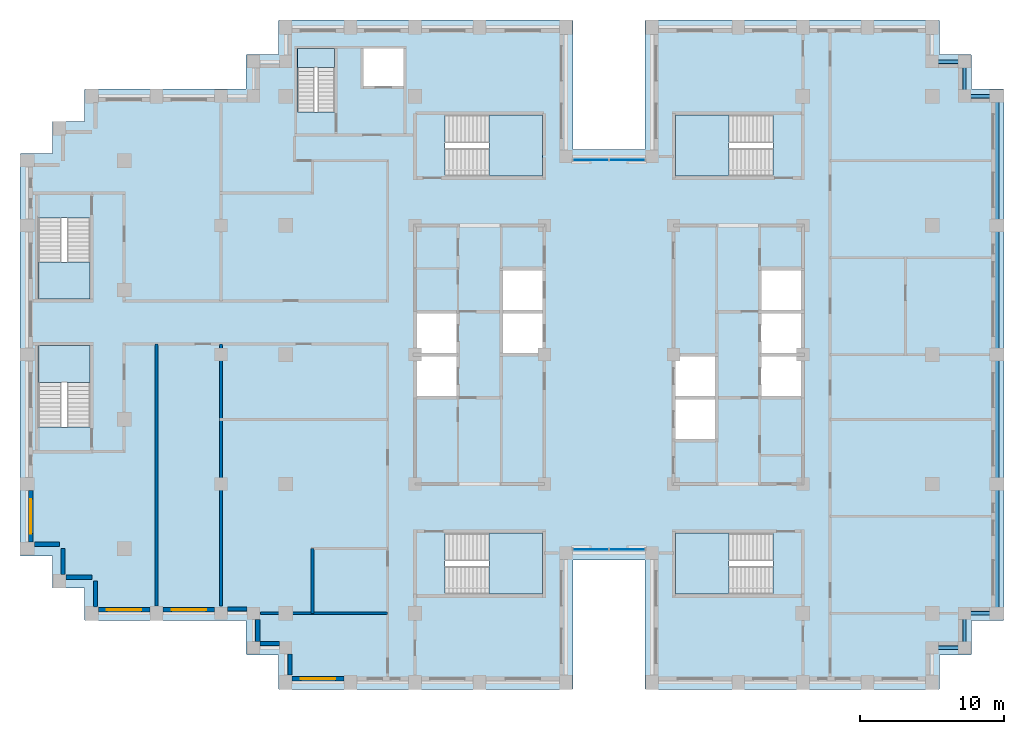
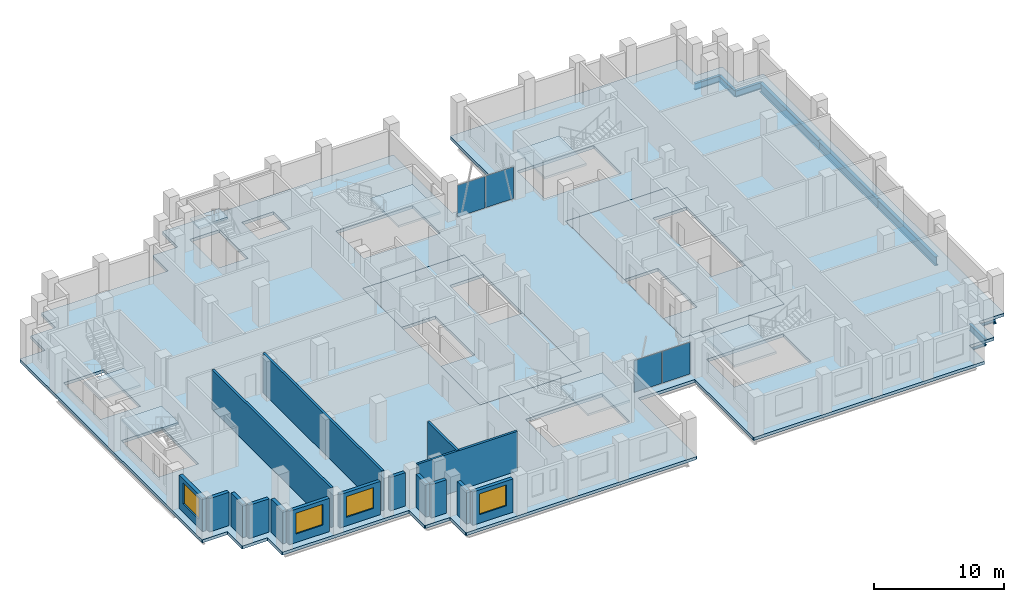
# One storey, part 5 of 15: 16 walls, 10 beams, 10 slabs, 4 plates, 4 windows, 4 openings, 9 elements without a shape of their own.
"""IFC4 building model written with IfcOpenShell, lengths in metres."""

from ifc_helpers import new_model, si_unit, direction, frame, frame_2d, origin, origin_2d, place, context, subcontext, project, spatial, polyline, rectangle, i_section, outline, extrude, material, layer, layer_set, material_profile, profile_set, type_object, element, fill, aggregate, save


model = new_model("IFC4")

# Units and contexts
model_context = context("Model", 3, precision=1e-05, world=origin(), true_north=direction((0.0, 1.0)))
body_context = subcontext(model_context, "Body", "Model", "MODEL_VIEW")
ifc_project = project(units=[si_unit("LENGTHUNIT", "METRE"), si_unit("AREAUNIT", "SQUARE_METRE"), si_unit("VOLUMEUNIT", "CUBIC_METRE"), si_unit("PLANEANGLEUNIT", "RADIAN"), si_unit("MASSUNIT", "GRAM", prefix="KILO")], contexts=[model_context])

# Site, building, storey
site_placement = place(None, origin())
site = spatial("IfcSite", under=ifc_project, at=site_placement, CompositionType="ELEMENT")
building_placement = place(site_placement, origin())
building = spatial("IfcBuilding", under=site, at=building_placement, Name="Corbelhall Arena Tower", CompositionType="ELEMENT")
storey_placement = place(building_placement, frame((0.0, 0.0, 228.0)))
storey = spatial("IfcBuildingStorey", under=building, at=storey_placement, Name="L48", CompositionType="ELEMENT", Elevation=228.0)

# Beams
ifc_material_1 = material(Name="Steel ASTM A992 Gr50", Category="steel")
ifc_material_profile_1 = material_profile(ifc_material_1, i_section(OverallWidth=0.228271484375, OverallDepth=0.607177734375, WebThickness=0.01123046875, FlangeThickness=0.017333984375, at=origin_2d()))
ifc_profile_set_1 = profile_set([ifc_material_profile_1], Name="Steel ASTM A992 Gr50")
beam_type_1 = type_object("IfcBeamType", Name="ST-SPANDREL-W24x76", PredefinedType="SPANDREL", material=ifc_profile_set_1)
for number, where, z_axis, x_axis, name in (
    (1, (27.0, -18.0, -0.58349609375), (-1.0, 0.0, 0.0), (0.0, -1.0, 0.0), "Beam SP 12"),
    (2, (22.5, 20.39990234375, -0.58349609375), (1.0, 0.0, 0.0), (0.0, 1.0, 0.0), "Beam SP 39"),
):
    element("IfcBeam", number, at=place(storey_placement, frame(where, z_axis=z_axis, x_axis=x_axis)), inside=storey, type_object=beam_type_1, Name=name, PredefinedType="SPANDREL", context=body_context, shape_type="SweptSolid", body=[
        extrude(i_section(OverallWidth=0.228271484375, OverallDepth=0.607177734375, WebThickness=0.01123046875, FlangeThickness=0.017333984375, at=origin_2d()), origin(), (0.0, 0.0, 1.0), 2.25),
    ])
beam_1_placement = place(storey_placement, frame((24.75, 20.39990234375, -0.58349609375), z_axis=(0.0, -1.0, 0.0), x_axis=(1.0, 0.0, 0.0)))
element("IfcBeam", 3, at=beam_1_placement, inside=storey, type_object=beam_type_1, Name="Beam SP 40", PredefinedType="SPANDREL", context=body_context, shape_type="SweptSolid", body=[
    extrude(i_section(OverallWidth=0.228271484375, OverallDepth=0.607177734375, WebThickness=0.01123046875, FlangeThickness=0.017333984375, at=origin_2d()), origin(), (0.0, 0.0, 1.0), 2.39990234375),
])
for number, where, z_axis, x_axis, name in (
    (4, (24.75, 18.0, -0.58349609375), (1.0, 0.0, 0.0), (0.0, 1.0, 0.0), "Beam SP 41"),
    (5, (24.75, -20.39990234375, -0.58349609375), (-1.0, 0.0, 0.0), (0.0, -1.0, 0.0), "Beam SP 46"),
):
    element("IfcBeam", number, at=place(storey_placement, frame(where, z_axis=z_axis, x_axis=x_axis)), inside=storey, type_object=beam_type_1, Name=name, PredefinedType="SPANDREL", context=body_context, shape_type="SweptSolid", body=[
        extrude(i_section(OverallWidth=0.228271484375, OverallDepth=0.607177734375, WebThickness=0.01123046875, FlangeThickness=0.017333984375, at=origin_2d()), origin(), (0.0, 0.0, 1.0), 2.25),
    ])
beam_2_placement = place(storey_placement, frame((24.75, -18.0, -0.58349609375), z_axis=(0.0, -1.0, 0.0), x_axis=(1.0, 0.0, 0.0)))
element("IfcBeam", 6, at=beam_2_placement, inside=storey, type_object=beam_type_1, Name="Beam SP 47", PredefinedType="SPANDREL", context=body_context, shape_type="SweptSolid", body=[
    extrude(i_section(OverallWidth=0.228271484375, OverallDepth=0.607177734375, WebThickness=0.01123046875, FlangeThickness=0.017333984375, at=origin_2d()), origin(), (0.0, 0.0, 1.0), 2.39990234375),
])
ifc_material_profile_2 = material_profile(ifc_material_1, i_section(OverallWidth=0.2919921875, OverallDepth=0.845703125, WebThickness=0.015380859375, FlangeThickness=0.0244140625, at=origin_2d()))
ifc_profile_set_2 = profile_set([ifc_material_profile_2], Name="Steel ASTM A992 Gr50")
beam_type_2 = type_object("IfcBeamType", Name="ST-SPANDREL-W33x141", PredefinedType="SPANDREL", material=ifc_profile_set_2)
for number, where, z_axis, x_axis, name in (
    (7, (27.0, 0.0, -0.702880859375), (0.0, -1.0, 0.0), (1.0, 0.0, 0.0), "Beam SP 8"),
    (8, (27.0, 9.0, -0.702880859375), (0.0, -1.0, 0.0), (1.0, 0.0, 0.0), "Beam SP 9"),
    (9, (27.0, 18.0, -0.702880859375), (0.0, -1.0, 0.0), (1.0, 0.0, 0.0), "Beam SP 10"),
    (10, (27.0, -9.0, -0.702880859375), (0.0, -1.0, 0.0), (1.0, 0.0, 0.0), "Beam SP 11"),
):
    element("IfcBeam", number, at=place(storey_placement, frame(where, z_axis=z_axis, x_axis=x_axis)), inside=storey, type_object=beam_type_2, Name=name, PredefinedType="SPANDREL", context=body_context, shape_type="SweptSolid", body=[
        extrude(i_section(OverallWidth=0.2919921875, OverallDepth=0.845703125, WebThickness=0.015380859375, FlangeThickness=0.0244140625, at=origin_2d()), origin(), (0.0, 0.0, 1.0), 9.0),
    ])

# Curtain wall, plates
ifc_material_2 = material(Name="Aluminium black anodised", Category="aluminium")
ifc_layer_1 = layer(ifc_material_2, 0.199951171875)
ifc_layer_set_1 = layer_set([ifc_layer_1], Name="EV-CW1 Slot back wall")
curtain_wall_type = type_object("IfcCurtainWallType", Name="EV-CW1 Slot back wall", PredefinedType="NOTDEFINED", material=ifc_layer_set_1)
curtain_wall_1_placement = place(storey_placement, origin())
curtain_wall_1 = element("IfcCurtainWall", 11, at=curtain_wall_1_placement, inside=storey, type_object=curtain_wall_type, Name="Curtain wall CW1", PredefinedType="NOTDEFINED")
ifc_material_3 = material(Name="Glass dark tinted laminated", Category="glass")
ifc_layer_2 = layer(ifc_material_3, 0.028076171875)
ifc_layer_set_2 = layer_set([ifc_layer_2], Name="EV-CW1-PANEL")
plate_type = type_object("IfcPlateType", Name="EV-CW1-PANEL", PredefinedType="CURTAIN_PANEL", material=ifc_layer_set_2)
plate_1_placement = place(storey_placement, frame((-1.25634765625, -13.550048828125, 0.0751953125), z_axis=(0.0, 0.0, 1.0), x_axis=(1.0, 0.0, 0.0)))
plate_1 = element("IfcPlate", 12, at=plate_1_placement, type_object=plate_type, Name="CW1 panel 1.1", PredefinedType="CURTAIN_PANEL", context=body_context, shape_type="SweptSolid", body=[
    extrude(rectangle(XDim=2.4375, YDim=0.028076171875, at=origin_2d()), origin(), (0.0, 0.0, 1.0), 2.969970703125),
])
plate_2_placement = place(storey_placement, frame((1.25634765625, -13.550048828125, 0.0751953125), z_axis=(0.0, 0.0, 1.0), x_axis=(1.0, 0.0, 0.0)))
plate_2 = element("IfcPlate", 13, at=plate_2_placement, type_object=plate_type, Name="CW1 panel 2.1", PredefinedType="CURTAIN_PANEL", context=body_context, shape_type="SweptSolid", body=[
    extrude(rectangle(XDim=2.4375, YDim=0.028076171875, at=origin_2d()), origin(), (0.0, 0.0, 1.0), 2.969970703125),
])
aggregate(curtain_wall_1, [plate_1, plate_2])

curtain_wall_2_placement = place(storey_placement, origin())
curtain_wall_2 = element("IfcCurtainWall", 14, at=curtain_wall_2_placement, inside=storey, type_object=curtain_wall_type, Name="Curtain wall CW1", PredefinedType="NOTDEFINED")
plate_3_placement = place(storey_placement, frame((1.25634765625, 13.550048828125, 0.0751953125), z_axis=(0.0, 0.0, 1.0), x_axis=(-1.0, 0.0, 0.0)))
plate_3 = element("IfcPlate", 15, at=plate_3_placement, type_object=plate_type, Name="CW1 panel 1.1", PredefinedType="CURTAIN_PANEL", context=body_context, shape_type="SweptSolid", body=[
    extrude(rectangle(XDim=2.4375, YDim=0.028076171875, at=origin_2d()), origin(), (0.0, 0.0, 1.0), 2.969970703125),
])
plate_4_placement = place(storey_placement, frame((-1.25634765625, 13.550048828125, 0.0751953125), z_axis=(0.0, 0.0, 1.0), x_axis=(-1.0, 0.0, 0.0)))
plate_4 = element("IfcPlate", 16, at=plate_4_placement, type_object=plate_type, Name="CW1 panel 2.1", PredefinedType="CURTAIN_PANEL", context=body_context, shape_type="SweptSolid", body=[
    extrude(rectangle(XDim=2.4375, YDim=0.028076171875, at=origin_2d()), origin(), (0.0, 0.0, 1.0), 2.969970703125),
])
aggregate(curtain_wall_2, [plate_3, plate_4])

# Slabs
ifc_material_4 = material(Name="Concrete C40/50", Category="concrete")
ifc_layer_3 = layer(ifc_material_4, 0.300048828125)
ifc_layer_set_3 = layer_set([ifc_layer_3], Name="IN-SL-CORE")
slab_type_1 = type_object("IfcSlabType", Name="IN-SL-CORE", PredefinedType="FLOOR", material=ifc_layer_set_3)
slab_1_placement = place(storey_placement, frame((0.0, 0.0, -0.280029296875)))
element("IfcSlab", 17, at=slab_1_placement, inside=storey, type_object=slab_type_1, Name="Core floor W", PredefinedType="FLOOR", context=body_context, shape_type="SweptSolid", body=[
    extrude(outline(polyline([(-10.5, -3.0), (-13.5, -3.0), (-13.5, -9.0), (-4.5, -9.0), (-4.5, 0.0), (-7.5, 0.0), (-7.5, 3.0), (-7.5, 6.0), (-4.5, 6.0), (-4.5, 9.0), (-13.5, 9.0), (-13.5, 3.0), (-10.5, 3.0), (-10.5, 0.0), (-10.5, -3.0)])), origin(), (0.0, 0.0, 1.0), 0.280029296875),
])
slab_2_placement = place(storey_placement, frame((0.0, 0.0, -0.280029296875)))
element("IfcSlab", 18, at=slab_2_placement, inside=storey, type_object=slab_type_1, Name="Core floor E", PredefinedType="FLOOR", context=body_context, shape_type="SweptSolid", body=[
    extrude(outline(polyline([(13.5, -3.0), (10.5, -3.0), (10.5, 0.0), (10.5, 3.0), (10.5, 6.0), (13.5, 6.0), (13.5, 9.0), (4.5, 9.0), (4.5, 0.0), (7.5, 0.0), (7.5, -3.0), (7.5, -6.0), (4.5, -6.0), (4.5, -9.0), (13.5, -9.0), (13.5, -3.0)])), origin(), (0.0, 0.0, 1.0), 0.280029296875),
])

# Stair, slab
stair_type = type_object("IfcStairType", Name="IN-ST-TOWER", PredefinedType="HALF_TURN_STAIR", material=ifc_material_4)
stair_1_placement = place(storey_placement, origin())
stair_1 = element("IfcStair", 19, at=stair_1_placement, inside=storey, type_object=stair_type, Name="L48 Exit stair ST1", PredefinedType="HALF_TURN_STAIR")
ifc_layer_4 = layer(ifc_material_4, 0.199951171875)
ifc_layer_set_4 = layer_set([ifc_layer_4], Name="IN-SL-LANDING")
slab_type_2 = type_object("IfcSlabType", Name="IN-SL-LANDING", PredefinedType="LANDING", material=ifc_layer_set_4)
slab_3_placement = place(storey_placement, frame((0.0, 0.0, 1.800048828125)))
slab_3 = element("IfcSlab", 20, at=slab_3_placement, type_object=slab_type_2, Name="ST1 landing 1", PredefinedType="LANDING", context=body_context, shape_type="SweptSolid", body=[
    extrude(outline(polyline([(-8.344970703125, 12.425048828125), (-4.625, 12.425048828125), (-4.625, 16.675048828125), (-8.344970703125, 16.675048828125), (-8.344970703125, 12.425048828125)])), origin(), (0.0, 0.0, 1.0), 0.199951171875),
])
aggregate(stair_1, [slab_3])

stair_2_placement = place(storey_placement, origin())
stair_2 = element("IfcStair", 21, at=stair_2_placement, inside=storey, type_object=stair_type, Name="L48 Exit stair ST2", PredefinedType="HALF_TURN_STAIR")
slab_4_placement = place(storey_placement, frame((0.0, 0.0, 1.800048828125)))
slab_4 = element("IfcSlab", 22, at=slab_4_placement, type_object=slab_type_2, Name="ST2 landing 1", PredefinedType="LANDING", context=body_context, shape_type="SweptSolid", body=[
    extrude(outline(polyline([(-8.344970703125, -16.675048828125), (-4.625, -16.675048828125), (-4.625, -12.425048828125), (-8.344970703125, -12.425048828125), (-8.344970703125, -16.675048828125)])), origin(), (0.0, 0.0, 1.0), 0.199951171875),
])
aggregate(stair_2, [slab_4])

stair_3_placement = place(storey_placement, origin())
stair_3 = element("IfcStair", 23, at=stair_3_placement, inside=storey, type_object=stair_type, Name="L48 Exit stair ST3", PredefinedType="HALF_TURN_STAIR")
slab_5_placement = place(storey_placement, frame((0.0, 0.0, 1.800048828125)))
slab_5 = element("IfcSlab", 24, at=slab_5_placement, type_object=slab_type_2, Name="ST3 landing 1", PredefinedType="LANDING", context=body_context, shape_type="SweptSolid", body=[
    extrude(outline(polyline([(8.344970703125, 16.675048828125), (4.625, 16.675048828125), (4.625, 12.425048828125), (8.344970703125, 12.425048828125), (8.344970703125, 16.675048828125)])), origin(), (0.0, 0.0, 1.0), 0.199951171875),
])
aggregate(stair_3, [slab_5])

stair_4_placement = place(storey_placement, origin())
stair_4 = element("IfcStair", 25, at=stair_4_placement, inside=storey, type_object=stair_type, Name="L48 Exit stair ST4", PredefinedType="HALF_TURN_STAIR")
slab_6_placement = place(storey_placement, frame((0.0, 0.0, 1.800048828125)))
slab_6 = element("IfcSlab", 26, at=slab_6_placement, type_object=slab_type_2, Name="ST4 landing 1", PredefinedType="LANDING", context=body_context, shape_type="SweptSolid", body=[
    extrude(outline(polyline([(8.344970703125, -12.425048828125), (4.625, -12.425048828125), (4.625, -16.675048828125), (8.344970703125, -16.675048828125), (8.344970703125, -12.425048828125)])), origin(), (0.0, 0.0, 1.0), 0.199951171875),
])
aggregate(stair_4, [slab_6])

stair_5_placement = place(storey_placement, origin())
stair_5 = element("IfcStair", 27, at=stair_5_placement, inside=storey, type_object=stair_type, Name="L48 Exit stair SC1", PredefinedType="HALF_TURN_STAIR")
slab_7_placement = place(storey_placement, frame((0.0, 0.0, 1.800048828125)))
slab_7 = element("IfcSlab", 28, at=slab_7_placement, type_object=slab_type_2, Name="SC1 landing 1", PredefinedType="LANDING", context=body_context, shape_type="SweptSolid", body=[
    extrude(outline(polyline([(-39.699951171875, 6.445068359375), (-39.699951171875, 3.875), (-36.125, 3.875), (-36.125, 6.445068359375), (-39.699951171875, 6.445068359375)])), origin(), (0.0, 0.0, 1.0), 0.199951171875),
])
aggregate(stair_5, [slab_7])

stair_6_placement = place(storey_placement, origin())
stair_6 = element("IfcStair", 29, at=stair_6_placement, inside=storey, type_object=stair_type, Name="L48 Exit stair SC2", PredefinedType="HALF_TURN_STAIR")
slab_8_placement = place(storey_placement, frame((0.0, 0.0, 1.800048828125)))
slab_8 = element("IfcSlab", 30, at=slab_8_placement, type_object=slab_type_2, Name="SC2 landing 1", PredefinedType="LANDING", context=body_context, shape_type="SweptSolid", body=[
    extrude(outline(polyline([(-36.125, -1.945068359375), (-36.125, 0.625), (-39.699951171875, 0.625), (-39.699951171875, -1.945068359375), (-36.125, -1.945068359375)])), origin(), (0.0, 0.0, 1.0), 0.199951171875),
])
aggregate(stair_6, [slab_8])

stair_7_placement = place(storey_placement, origin())
stair_7 = element("IfcStair", 31, at=stair_7_placement, inside=storey, type_object=stair_type, Name="L48 Exit stair ST5", PredefinedType="HALF_TURN_STAIR")
slab_9_placement = place(storey_placement, frame((0.0, 0.0, 1.800048828125)))
slab_9 = element("IfcSlab", 32, at=slab_9_placement, type_object=slab_type_2, Name="ST5 landing 1", PredefinedType="LANDING", context=body_context, shape_type="SweptSolid", body=[
    extrude(outline(polyline([(-19.094970703125, 19.97998046875), (-19.094970703125, 21.300048828125), (-21.695068359375, 21.300048828125), (-21.695068359375, 19.97998046875), (-19.094970703125, 19.97998046875)])), origin(), (0.0, 0.0, 1.0), 0.199951171875),
])
aggregate(stair_7, [slab_9])

# Slab
ifc_layer_5 = layer(ifc_material_4, 0.280029296875)
ifc_layer_set_5 = layer_set([ifc_layer_5], Name="ST-SLAB-FLOOR-280")
slab_type_3 = type_object("IfcSlabType", Name="ST-SLAB-FLOOR-280", PredefinedType="FLOOR", material=ifc_layer_set_5)
slab_10_placement = place(storey_placement, frame((0.0, 0.0, -0.280029296875)))
element("IfcSlab", 33, at=slab_10_placement, inside=storey, type_object=slab_type_3, Name="Floor slab L48 1", PredefinedType="FLOOR", context=body_context, shape_type="SweptSolid", body=[
    extrude(outline(polyline([(23.0, 23.25), (22.949951171875, 23.300048828125), (2.550048828125, 23.300048828125), (2.5, 23.25), (2.5, 14.300048828125), (-2.5, 14.300048828125), (-2.5, 23.25), (-2.550048828125, 23.300048828125), (-22.949951171875, 23.300048828125), (-23.0, 23.25), (-23.0, 20.89990234375), (-25.199951171875, 20.89990234375), (-25.25, 20.85009765625), (-25.25, 18.5), (-36.449951171875, 18.5), (-36.5, 18.449951171875), (-36.5, 16.25), (-38.699951171875, 16.25), (-38.75, 16.199951171875), (-38.75, 14.0), (-40.949951171875, 14.0), (-41.0, 13.949951171875), (-41.0, -13.949951171875), (-40.949951171875, -14.0), (-38.75, -14.0), (-38.75, -16.199951171875), (-38.699951171875, -16.25), (-36.5, -16.25), (-36.5, -18.449951171875), (-36.449951171875, -18.5), (-25.25, -18.5), (-25.25, -20.85009765625), (-25.199951171875, -20.89990234375), (-23.0, -20.89990234375), (-23.0, -23.25), (-22.949951171875, -23.300048828125), (-2.550048828125, -23.300048828125), (-2.5, -23.25), (-2.5, -14.300048828125), (2.5, -14.300048828125), (2.5, -23.25), (2.550048828125, -23.300048828125), (22.949951171875, -23.300048828125), (23.0, -23.25), (23.0, -20.89990234375), (25.199951171875, -20.89990234375), (25.25, -20.85009765625), (25.25, -18.5), (27.449951171875, -18.5), (27.5, -18.449951171875), (27.5, 18.449951171875), (27.449951171875, 18.5), (25.25, 18.5), (25.25, 20.85009765625), (25.199951171875, 20.89990234375), (23.0, 20.89990234375), (23.0, 23.25)]), holes=[polyline([(-4.5, -9.0), (-4.5, 9.0), (-13.5, 9.0), (-13.5, -9.0), (-4.5, -9.0)]), polyline([(13.5, -9.0), (13.5, 9.0), (4.5, 9.0), (4.5, -9.0), (13.5, -9.0)]), polyline([(-11.422119140625, 12.425048828125), (-4.625, 12.425048828125), (-4.625, 16.675048828125), (-11.422119140625, 16.675048828125), (-11.422119140625, 12.425048828125)]), polyline([(-11.422119140625, -12.425048828125), (-11.422119140625, -16.675048828125), (-4.625, -16.675048828125), (-4.625, -12.425048828125), (-11.422119140625, -12.425048828125)]), polyline([(4.625, 12.425048828125), (11.422119140625, 12.425048828125), (11.422119140625, 16.675048828125), (4.625, 16.675048828125), (4.625, 12.425048828125)]), polyline([(4.625, -12.425048828125), (4.625, -16.675048828125), (11.422119140625, -16.675048828125), (11.422119140625, -12.425048828125), (4.625, -12.425048828125)]), polyline([(-39.699951171875, 9.52197265625), (-39.699951171875, 3.875), (-36.125, 3.875), (-36.125, 9.52197265625), (-39.699951171875, 9.52197265625)]), polyline([(-39.699951171875, -5.02197265625), (-36.125, -5.02197265625), (-36.125, 0.625), (-39.699951171875, 0.625), (-39.699951171875, -5.02197265625)]), polyline([(-21.695068359375, 21.300048828125), (-21.695068359375, 16.903076171875), (-19.094970703125, 16.903076171875), (-19.094970703125, 21.300048828125), (-21.695068359375, 21.300048828125)]), polyline([(-14.300048828125, 21.300048828125), (-17.10009765625, 21.300048828125), (-17.10009765625, 18.699951171875), (-14.300048828125, 18.699951171875), (-14.300048828125, 21.300048828125)])]), origin(), (0.0, 0.0, 1.0), 0.280029296875),
])

# Walls
ifc_material_5 = material(Name="Precast concrete C40/50 with granite facing", Category="masonry")
ifc_layer_6 = layer(ifc_material_5, 0.300048828125)
ifc_layer_set_6 = layer_set([ifc_layer_6], Name="EV-IW1 Infill panel 300")
wall_type_1 = type_object("IfcWallType", Name="EV-IW1 Infill panel 300", PredefinedType="SOLIDWALL", material=ifc_layer_set_6)
wall_1_placement = place(storey_placement, frame((-40.0, -13.199951171875, 0.0), z_axis=(0.0, 0.0, 1.0), x_axis=(1.0, 0.0, 0.0)))
element("IfcWall", 34, at=wall_1_placement, inside=storey, type_object=wall_type_1, Name="Infill panel IW1", PredefinedType="SOLIDWALL", context=body_context, shape_type="SweptSolid", body=[
    extrude(rectangle(XDim=1.75, YDim=0.300048828125, at=frame_2d((0.875, 0.0))), origin(), (0.0, 0.0, 1.0), 3.1201171875),
])
for number, where, z_axis, x_axis, name in (
    (35, (-38.0, -15.300048828125, 0.0), (0.0, 0.0, 1.0), (0.0, 1.0, 0.0), "Infill panel IW1"),
    (36, (-37.800048828125, -15.5, 0.0), (0.0, 0.0, 1.0), (1.0, 0.0, 0.0), "Infill panel IW1"),
    (37, (-35.75, -17.550048828125, 0.0), (0.0, 0.0, 1.0), (0.0, 1.0, 0.0), "Infill panel IW1"),
):
    element("IfcWall", number, at=place(storey_placement, frame(where, z_axis=z_axis, x_axis=x_axis)), inside=storey, type_object=wall_type_1, Name=name, PredefinedType="SOLIDWALL", context=body_context, shape_type="SweptSolid", body=[
        extrude(rectangle(XDim=1.800048828125, YDim=0.300048828125, at=frame_2d((0.89990234375, 0.0))), origin(), (0.0, 0.0, 1.0), 3.1201171875),
    ])

# Wall, opening, window
wall_2_placement = place(storey_placement, frame((-40.25, -9.449951171875, 0.0), z_axis=(0.0, 0.0, 1.0), x_axis=(0.0, -1.0, 0.0)))
wall_2 = element("IfcWall", 38, at=wall_2_placement, inside=storey, type_object=wall_type_1, Name="Infill panel IW1", PredefinedType="SOLIDWALL", context=body_context, shape_type="SweptSolid", body=[
    extrude(rectangle(XDim=3.60009765625, YDim=0.300048828125, at=frame_2d((1.800048828125, 0.0))), origin(), (0.0, 0.0, 1.0), 3.1201171875),
])
opening_1_placement = place(wall_2_placement, frame((0.60009765625, 0.0, 0.800048828125)))
opening_1 = element("IfcOpeningElement", 39, at=opening_1_placement, cuts=wall_2, Name="Opening WN1", PredefinedType="OPENING", context=body_context, shape_type="SweptSolid", body=[
    extrude(rectangle(XDim=2.39990234375, YDim=1.949951171875, at=frame_2d((1.199951171875, 0.97509765625))), frame((0.0, 0.14990234375, 0.0), z_axis=(0.0, -1.0, 0.0), x_axis=(1.0, 0.0, 0.0)), (0.0, 0.0, 1.0), 0.300048828125),
])
window_type = type_object("IfcWindowType", Name="EV-WN1 Office window", PartitioningType="SINGLE_PANEL", PredefinedType="WINDOW", material=ifc_material_2)
window_1_placement = place(opening_1_placement, origin())
window_1 = element("IfcWindow", 40, at=window_1_placement, inside=storey, type_object=window_type, Name="Window WN1", OverallHeight=1.949951171875, OverallWidth=2.39990234375, PartitioningType="SINGLE_PANEL", PredefinedType="WINDOW", context=body_context, shape_type="SweptSolid", body=[
    extrude(rectangle(XDim=2.39990234375, YDim=1.949951171875, at=frame_2d((1.199951171875, 0.97509765625))), frame((0.0, 0.030029296875, 0.0), z_axis=(0.0, -1.0, 0.0), x_axis=(1.0, 0.0, 0.0)), (0.0, 0.0, 1.0), 0.06005859375),
])
fill(opening_1, window_1)

wall_3_placement = place(storey_placement, frame((-35.550048828125, -17.75, 0.0), z_axis=(0.0, 0.0, 1.0), x_axis=(1.0, 0.0, 0.0)))
wall_3 = element("IfcWall", 41, at=wall_3_placement, inside=storey, type_object=wall_type_1, Name="Infill panel IW1", PredefinedType="SOLIDWALL", context=body_context, shape_type="SweptSolid", body=[
    extrude(rectangle(XDim=3.60009765625, YDim=0.300048828125, at=frame_2d((1.800048828125, 0.0))), origin(), (0.0, 0.0, 1.0), 3.1201171875),
])
opening_2_placement = place(wall_3_placement, frame((0.60009765625, 0.0, 0.800048828125)))
opening_2 = element("IfcOpeningElement", 42, at=opening_2_placement, cuts=wall_3, Name="Opening WN1", PredefinedType="OPENING", context=body_context, shape_type="SweptSolid", body=[
    extrude(rectangle(XDim=2.39990234375, YDim=1.949951171875, at=frame_2d((1.199951171875, 0.97509765625))), frame((0.0, 0.14990234375, 0.0), z_axis=(0.0, -1.0, 0.0), x_axis=(1.0, 0.0, 0.0)), (0.0, 0.0, 1.0), 0.300048828125),
])
window_2_placement = place(opening_2_placement, origin())
window_2 = element("IfcWindow", 43, at=window_2_placement, inside=storey, type_object=window_type, Name="Window WN1", OverallHeight=1.949951171875, OverallWidth=2.39990234375, PartitioningType="SINGLE_PANEL", PredefinedType="WINDOW", context=body_context, shape_type="SweptSolid", body=[
    extrude(rectangle(XDim=2.39990234375, YDim=1.949951171875, at=frame_2d((1.199951171875, 0.97509765625))), frame((0.0, 0.030029296875, 0.0), z_axis=(0.0, -1.0, 0.0), x_axis=(1.0, 0.0, 0.0)), (0.0, 0.0, 1.0), 0.06005859375),
])
fill(opening_2, window_2)

wall_4_placement = place(storey_placement, frame((-31.050048828125, -17.75, 0.0), z_axis=(0.0, 0.0, 1.0), x_axis=(1.0, 0.0, 0.0)))
wall_4 = element("IfcWall", 44, at=wall_4_placement, inside=storey, type_object=wall_type_1, Name="Infill panel IW1", PredefinedType="SOLIDWALL", context=body_context, shape_type="SweptSolid", body=[
    extrude(rectangle(XDim=3.60009765625, YDim=0.300048828125, at=frame_2d((1.800048828125, 0.0))), origin(), (0.0, 0.0, 1.0), 3.1201171875),
])
opening_3_placement = place(wall_4_placement, frame((0.60009765625, 0.0, 0.800048828125)))
opening_3 = element("IfcOpeningElement", 45, at=opening_3_placement, cuts=wall_4, Name="Opening WN1", PredefinedType="OPENING", context=body_context, shape_type="SweptSolid", body=[
    extrude(rectangle(XDim=2.39990234375, YDim=1.949951171875, at=frame_2d((1.199951171875, 0.97509765625))), frame((0.0, 0.14990234375, 0.0), z_axis=(0.0, -1.0, 0.0), x_axis=(1.0, 0.0, 0.0)), (0.0, 0.0, 1.0), 0.300048828125),
])
window_3_placement = place(opening_3_placement, origin())
window_3 = element("IfcWindow", 46, at=window_3_placement, inside=storey, type_object=window_type, Name="Window WN1", OverallHeight=1.949951171875, OverallWidth=2.39990234375, PartitioningType="SINGLE_PANEL", PredefinedType="WINDOW", context=body_context, shape_type="SweptSolid", body=[
    extrude(rectangle(XDim=2.39990234375, YDim=1.949951171875, at=frame_2d((1.199951171875, 0.97509765625))), frame((0.0, 0.030029296875, 0.0), z_axis=(0.0, -1.0, 0.0), x_axis=(1.0, 0.0, 0.0)), (0.0, 0.0, 1.0), 0.06005859375),
])
fill(opening_3, window_3)

# Walls
wall_5_placement = place(storey_placement, frame((-26.550048828125, -17.699951171875, 0.0), z_axis=(0.0, 0.0, 1.0), x_axis=(1.0, 0.0, 0.0)))
element("IfcWall", 47, at=wall_5_placement, inside=storey, type_object=wall_type_1, Name="Infill panel IW1", PredefinedType="SOLIDWALL", context=body_context, shape_type="SweptSolid", body=[
    extrude(rectangle(XDim=1.35009765625, YDim=0.300048828125, at=frame_2d((0.675048828125, 0.0))), origin(), (0.0, 0.0, 1.0), 3.1201171875),
])
wall_6_placement = place(storey_placement, frame((-24.449951171875, -18.449951171875, 0.0), z_axis=(0.0, 0.0, 1.0), x_axis=(0.0, -1.0, 0.0)))
element("IfcWall", 48, at=wall_6_placement, inside=storey, type_object=wall_type_1, Name="Infill panel IW1", PredefinedType="SOLIDWALL", context=body_context, shape_type="SweptSolid", body=[
    extrude(rectangle(XDim=1.5, YDim=0.300048828125, at=frame_2d((0.75, 0.0))), origin(), (0.0, 0.0, 1.0), 3.1201171875),
])
wall_7_placement = place(storey_placement, frame((-24.300048828125, -20.10009765625, 0.0), z_axis=(0.0, 0.0, 1.0), x_axis=(1.0, 0.0, 0.0)))
element("IfcWall", 49, at=wall_7_placement, inside=storey, type_object=wall_type_1, Name="Infill panel IW1", PredefinedType="SOLIDWALL", context=body_context, shape_type="SweptSolid", body=[
    extrude(rectangle(XDim=1.35009765625, YDim=0.300048828125, at=frame_2d((0.675048828125, 0.0))), origin(), (0.0, 0.0, 1.0), 3.1201171875),
])
wall_8_placement = place(storey_placement, frame((-22.199951171875, -20.85009765625, 0.0), z_axis=(0.0, 0.0, 1.0), x_axis=(0.0, -1.0, 0.0)))
element("IfcWall", 50, at=wall_8_placement, inside=storey, type_object=wall_type_1, Name="Infill panel IW1", PredefinedType="SOLIDWALL", context=body_context, shape_type="SweptSolid", body=[
    extrude(rectangle(XDim=1.449951171875, YDim=0.300048828125, at=frame_2d((0.72509765625, 0.0))), origin(), (0.0, 0.0, 1.0), 3.1201171875),
])

# Wall, opening, window
wall_9_placement = place(storey_placement, frame((-22.050048828125, -22.550048828125, 0.0), z_axis=(0.0, 0.0, 1.0), x_axis=(1.0, 0.0, 0.0)))
wall_9 = element("IfcWall", 51, at=wall_9_placement, inside=storey, type_object=wall_type_1, Name="Infill panel IW1", PredefinedType="SOLIDWALL", context=body_context, shape_type="SweptSolid", body=[
    extrude(rectangle(XDim=3.60009765625, YDim=0.300048828125, at=frame_2d((1.800048828125, 0.0))), origin(), (0.0, 0.0, 1.0), 3.1201171875),
])
opening_4_placement = place(wall_9_placement, frame((0.60009765625, 0.0, 0.800048828125)))
opening_4 = element("IfcOpeningElement", 52, at=opening_4_placement, cuts=wall_9, Name="Opening WN1", PredefinedType="OPENING", context=body_context, shape_type="SweptSolid", body=[
    extrude(rectangle(XDim=2.39990234375, YDim=1.949951171875, at=frame_2d((1.199951171875, 0.97509765625))), frame((0.0, 0.14990234375, 0.0), z_axis=(0.0, -1.0, 0.0), x_axis=(1.0, 0.0, 0.0)), (0.0, 0.0, 1.0), 0.300048828125),
])
window_4_placement = place(opening_4_placement, origin())
window_4 = element("IfcWindow", 53, at=window_4_placement, inside=storey, type_object=window_type, Name="Window WN1", OverallHeight=1.949951171875, OverallWidth=2.39990234375, PartitioningType="SINGLE_PANEL", PredefinedType="WINDOW", context=body_context, shape_type="SweptSolid", body=[
    extrude(rectangle(XDim=2.39990234375, YDim=1.949951171875, at=frame_2d((1.199951171875, 0.97509765625))), frame((0.0, 0.030029296875, 0.0), z_axis=(0.0, -1.0, 0.0), x_axis=(1.0, 0.0, 0.0)), (0.0, 0.0, 1.0), 0.06005859375),
])
fill(opening_4, window_4)

# Walls
ifc_material_6 = material(Name="Gypsum board on steel stud, acoustic", Category="steel")
ifc_layer_7 = layer(ifc_material_6, 0.199951171875)
ifc_layer_set_7 = layer_set([ifc_layer_7], Name="IN-W-DM200")
wall_type_2 = type_object("IfcWallType", Name="IN-W-DM200", PredefinedType="PARTITIONING", material=ifc_layer_set_7)
for number, where, z_axis, x_axis, name in (
    (54, (-31.5, 0.75, 0.0), (0.0, 0.0, 1.0), (0.0, -1.0, 0.0), "Partition 006"),
    (55, (-27.0, -17.5, 0.0), (0.0, 0.0, 1.0), (0.0, 1.0, 0.0), "Partition 010"),
):
    element("IfcWall", number, at=place(storey_placement, frame(where, z_axis=z_axis, x_axis=x_axis)), inside=storey, type_object=wall_type_2, Name=name, PredefinedType="PARTITIONING", context=body_context, shape_type="SweptSolid", body=[
        extrude(rectangle(XDim=18.25, YDim=0.199951171875, at=frame_2d((9.125, 0.0))), origin(), (0.0, 0.0, 1.0), 3.719970703125),
    ])
wall_10_placement = place(storey_placement, frame((-24.25, -18.0, 0.0), z_axis=(0.0, 0.0, 1.0), x_axis=(1.0, 0.0, 0.0)))
element("IfcWall", 56, at=wall_10_placement, inside=storey, type_object=wall_type_2, Name="Partition 012", PredefinedType="PARTITIONING", context=body_context, shape_type="SweptSolid", body=[
    extrude(rectangle(XDim=8.85009765625, YDim=0.199951171875, at=frame_2d((4.425048828125, 0.0))), origin(), (0.0, 0.0, 1.0), 3.719970703125),
])
wall_11_placement = place(storey_placement, frame((-20.64990234375, -18.0, 0.0), z_axis=(0.0, 0.0, 1.0), x_axis=(0.0, 1.0, 0.0)))
element("IfcWall", 57, at=wall_11_placement, inside=storey, type_object=wall_type_2, Name="Partition 015", PredefinedType="PARTITIONING", context=body_context, shape_type="SweptSolid", body=[
    extrude(rectangle(XDim=4.5, YDim=0.199951171875, at=frame_2d((2.25, 0.0))), origin(), (0.0, 0.0, 1.0), 3.719970703125),
])

save(model, "model.ifc")
